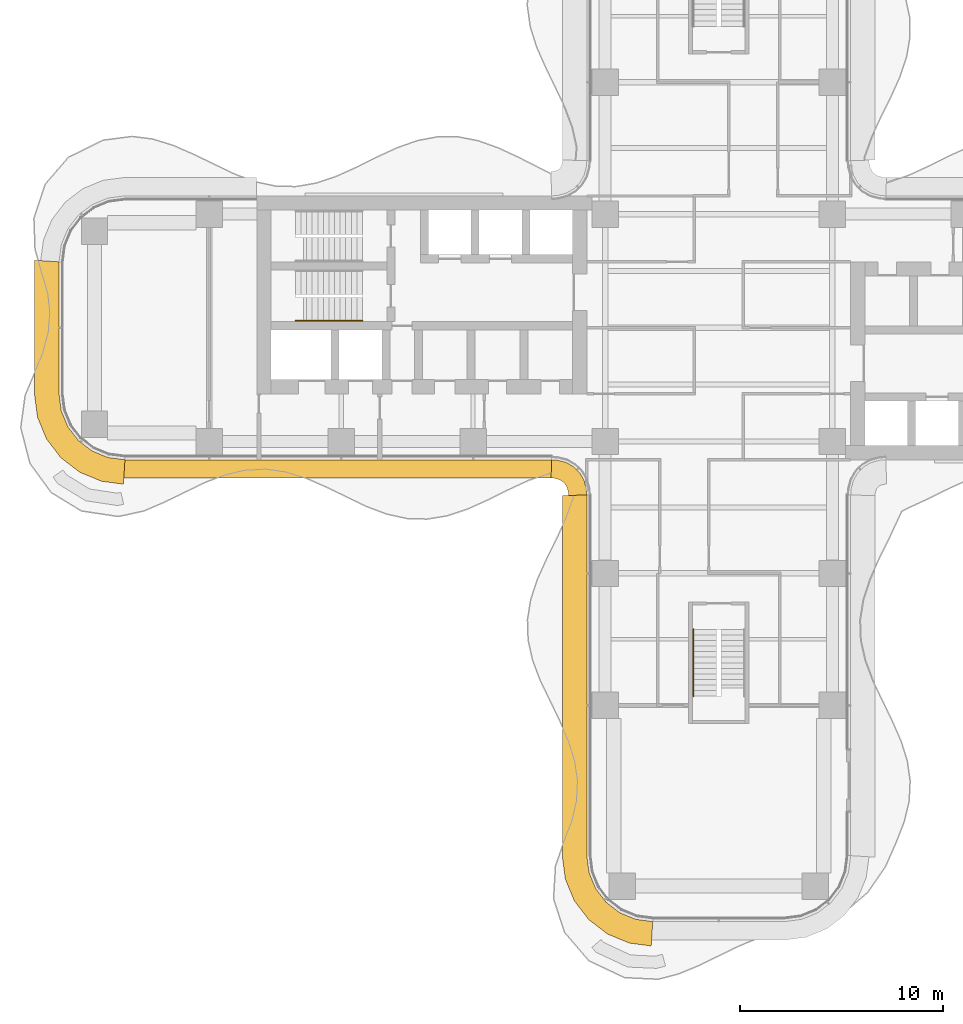
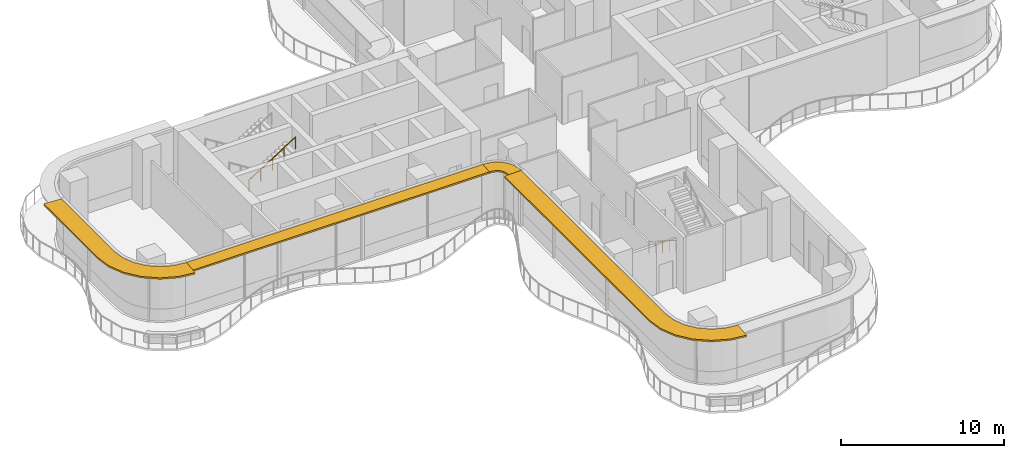
# One storey, part 20 of 21: 4 shading devices, 2 railings.
"""IFC4 building model written with IfcOpenShell, lengths in metres."""

from ifc_helpers import new_model, si_unit, direction, frame, origin, origin_2d, place, context, subcontext, project, spatial, polyline, circle, outline, extrude, source, transform, mapped, material, layer, layer_set, type_object, element, save


model = new_model("IFC4")

# Units and contexts
model_context = context("Model", 3, precision=1e-05, world=origin(), true_north=direction((0.0, 1.0)))
body_context = subcontext(model_context, "Body", "Model", "MODEL_VIEW")
ifc_project = project(units=[si_unit("LENGTHUNIT", "METRE"), si_unit("AREAUNIT", "SQUARE_METRE"), si_unit("VOLUMEUNIT", "CUBIC_METRE"), si_unit("PLANEANGLEUNIT", "RADIAN"), si_unit("MASSUNIT", "GRAM", prefix="KILO")], contexts=[model_context])

# Site, building, storey
site_placement = place(None, origin())
site = spatial("IfcSite", under=ifc_project, at=site_placement, CompositionType="ELEMENT")
building_placement = place(site_placement, origin())
building = spatial("IfcBuilding", under=site, at=building_placement, Name="Trellis Farm Tower", CompositionType="ELEMENT")
storey_placement = place(building_placement, frame((0.0, 0.0, 106.5)))
storey = spatial("IfcBuildingStorey", under=building, at=storey_placement, Name="L22", CompositionType="ELEMENT", Elevation=106.5)

# Railings
ifc_material_1 = material(Name="Stainless steel", Category="steel")
railing_type = type_object("IfcRailingType", Name="STAIR HANDRAIL 900", PredefinedType="HANDRAIL", material=ifc_material_1)
shared_shape_1 = source(origin(), body_context, "Body", "SweptSolid", [
    extrude(circle(Radius=0.02392578125, at=origin_2d()), frame((0.0, 0.0, 0.8759765625), z_axis=(0.0, -0.846319618018, 0.532675421018), x_axis=(1.0, 0.0, 0.0)), (0.0, 0.0, 1.0), 3.89892578125),
    extrude(circle(Radius=0.02099609375, at=origin_2d()), origin(), (0.0, 0.0, 1.0), 0.851806640625),
    extrude(circle(Radius=0.02099609375, at=origin_2d()), frame((0.0, -0.824951171875, 0.519287109375)), (0.0, 0.0, 1.0), 0.851806640625),
    extrude(circle(Radius=0.02099609375, at=origin_2d()), frame((0.0, -1.64990234375, 1.03857421875)), (0.0, 0.0, 1.0), 0.851806640625),
    extrude(circle(Radius=0.02099609375, at=origin_2d()), frame((0.0, -2.474853515625, 1.5576171875)), (0.0, 0.0, 1.0), 0.851806640625),
    extrude(circle(Radius=0.02099609375, at=origin_2d()), frame((0.0, -3.2998046875, 2.076904296875)), (0.0, 0.0, 1.0), 0.851806640625),
])
railing_1_placement = place(storey_placement, frame((-1.25, -14.85009765625, 0.173095703125)))
element("IfcRailing", 1, at=railing_1_placement, inside=storey, type_object=railing_type, Name="Stair handrail", PredefinedType="HANDRAIL", context=body_context, shape_type="MappedRepresentation", body=[
    mapped(shared_shape_1, transform((0.0, 0.0, 0.0))),
])
shared_shape_2 = source(origin(), body_context, "Body", "SweptSolid", [
    extrude(circle(Radius=0.02392578125, at=origin_2d()), frame((0.0, 0.0, 0.8759765625), z_axis=(0.846337383501, 0.0, 0.532647194011), x_axis=(0.0, 1.0, 0.0)), (0.0, 0.0, 1.0), 3.899169921875),
    extrude(circle(Radius=0.02099609375, at=origin_2d()), origin(), (0.0, 0.0, 1.0), 0.851806640625),
    extrude(circle(Radius=0.02099609375, at=origin_2d()), frame((0.824951171875, 0.0, 0.519287109375)), (0.0, 0.0, 1.0), 0.851806640625),
    extrude(circle(Radius=0.02099609375, at=origin_2d()), frame((1.64990234375, 0.0, 1.03857421875)), (0.0, 0.0, 1.0), 0.851806640625),
    extrude(circle(Radius=0.02099609375, at=origin_2d()), frame((2.47509765625, 0.0, 1.5576171875)), (0.0, 0.0, 1.0), 0.851806640625),
    extrude(circle(Radius=0.02099609375, at=origin_2d()), frame((3.300048828125, 0.0, 2.076904296875)), (0.0, 0.0, 1.0), 0.851806640625),
])
railing_2_placement = place(storey_placement, frame((-20.85009765625, 0.35009765625, 2.423095703125)))
element("IfcRailing", 2, at=railing_2_placement, inside=storey, type_object=railing_type, Name="Stair handrail", PredefinedType="HANDRAIL", context=body_context, shape_type="MappedRepresentation", body=[
    mapped(shared_shape_2, transform((0.0, 0.0, 0.0))),
])

# Shading devices
ifc_material_2 = material(Name="Aluminium extrusion 6063-T6", Category="aluminium")
ifc_layer_1 = layer(ifc_material_2, 0.1201171875)
ifc_layer_set_1 = layer_set([ifc_layer_1], Name="SUNSHADE BLADE 900")
shading_device_type_1 = type_object("IfcShadingDeviceType", Name="SUNSHADE BLADE 900", PredefinedType="USERDEFINED", material=ifc_layer_set_1)
shared_shape_3 = source(origin(), body_context, "Body", "SweptSolid", [
    extrude(outline(polyline([(-29.30908203125, -7.39990234375), (-8.2607421875, -7.39990234375), (-8.2314453125, -6.5), (-29.25, -6.5), (-29.30908203125, -7.39990234375)])), origin(), (0.0, 0.0, 1.0), 0.119873046875),
])
placement = place(storey_placement, frame((0.0, 0.0, 4.090087890625)))
element("IfcShadingDevice", 3, at=placement, inside=storey, type_object=shading_device_type_1, Name="SD1 001", ObjectType="SUNSHADE", PredefinedType="USERDEFINED", context=body_context, shape_type="MappedRepresentation", body=[
    mapped(shared_shape_3, transform((0.0, 0.0, 0.0))),
])
shared_shape_4 = source(origin(), body_context, "Body", "SweptSolid", [
    extrude(outline(polyline([(-8.2607421875, -7.39990234375), (-8.107666015625, -7.409912109375), (-8.091552734375, -7.412109375), (-7.85595703125, -7.475341796875), (-7.697021484375, -7.567138671875), (-7.567138671875, -7.697021484375), (-7.475341796875, -7.85595703125), (-7.412109375, -8.091552734375), (-7.409912109375, -8.107666015625), (-7.39990234375, -8.2607421875), (-6.5, -8.2314453125), (-6.513916015625, -8.01953125), (-6.527587890625, -7.91552734375), (-6.63671875, -7.508544921875), (-6.846923828125, -7.144287109375), (-7.144287109375, -6.846923828125), (-7.508544921875, -6.63671875), (-7.91552734375, -6.527587890625), (-8.01953125, -6.513916015625), (-8.2314453125, -6.5), (-8.2607421875, -7.39990234375)])), origin(), (0.0, 0.0, 1.0), 0.119873046875),
])
element("IfcShadingDevice", 4, at=placement, inside=storey, type_object=shading_device_type_1, Name="SD1 002", ObjectType="SUNSHADE", PredefinedType="USERDEFINED", context=body_context, shape_type="MappedRepresentation", body=[
    mapped(shared_shape_4, transform((0.0, 0.0, 0.0))),
])
ifc_layer_2 = layer(ifc_material_2, 0.1201171875)
ifc_layer_set_2 = layer_set([ifc_layer_2], Name="SUNSHADE BLADE 1200")
shading_device_type_2 = type_object("IfcShadingDeviceType", Name="SUNSHADE BLADE 1200", PredefinedType="USERDEFINED", material=ifc_layer_set_2)
shared_shape_5 = source(origin(), body_context, "Body", "SweptSolid", [
    extrude(outline(polyline([(-7.699951171875, -8.270751953125), (-7.699951171875, -26.07861328125), (-7.558349609375, -27.154541015625), (-7.11279296875, -28.230224609375), (-6.404052734375, -29.154052734375), (-5.480224609375, -29.86279296875), (-4.404541015625, -30.308349609375), (-3.32861328125, -30.449951171875), (-3.25, -29.25), (-4.091064453125, -29.13916015625), (-4.875, -28.814697265625), (-5.548095703125, -28.298095703125), (-6.064697265625, -27.625), (-6.38916015625, -26.841064453125), (-6.5, -26.0), (-6.5, -8.2314453125), (-7.699951171875, -8.270751953125)])), origin(), (0.0, 0.0, 1.0), 0.119873046875),
])
element("IfcShadingDevice", 5, at=placement, inside=storey, type_object=shading_device_type_2, Name="SD2 003", ObjectType="SUNSHADE", PredefinedType="USERDEFINED", context=body_context, shape_type="MappedRepresentation", body=[
    mapped(shared_shape_5, transform((0.0, 0.0, 0.0))),
])
shared_shape_6 = source(origin(), body_context, "Body", "SweptSolid", [
    extrude(outline(polyline([(-33.699951171875, 3.32861328125), (-33.699951171875, -3.32861328125), (-33.558349609375, -4.404541015625), (-33.11279296875, -5.480224609375), (-32.404052734375, -6.404052734375), (-31.480224609375, -7.11279296875), (-30.404541015625, -7.558349609375), (-29.32861328125, -7.699951171875), (-29.25, -6.5), (-30.091064453125, -6.38916015625), (-30.875, -6.064697265625), (-31.548095703125, -5.548095703125), (-32.064697265625, -4.875), (-32.38916015625, -4.091064453125), (-32.5, -3.25), (-32.5, 3.25), (-33.699951171875, 3.32861328125)])), origin(), (0.0, 0.0, 1.0), 0.119873046875),
])
element("IfcShadingDevice", 6, at=placement, inside=storey, type_object=shading_device_type_2, Name="SD2 016", ObjectType="SUNSHADE", PredefinedType="USERDEFINED", context=body_context, shape_type="MappedRepresentation", body=[
    mapped(shared_shape_6, transform((0.0, 0.0, 0.0))),
])

save(model, "model.ifc")
